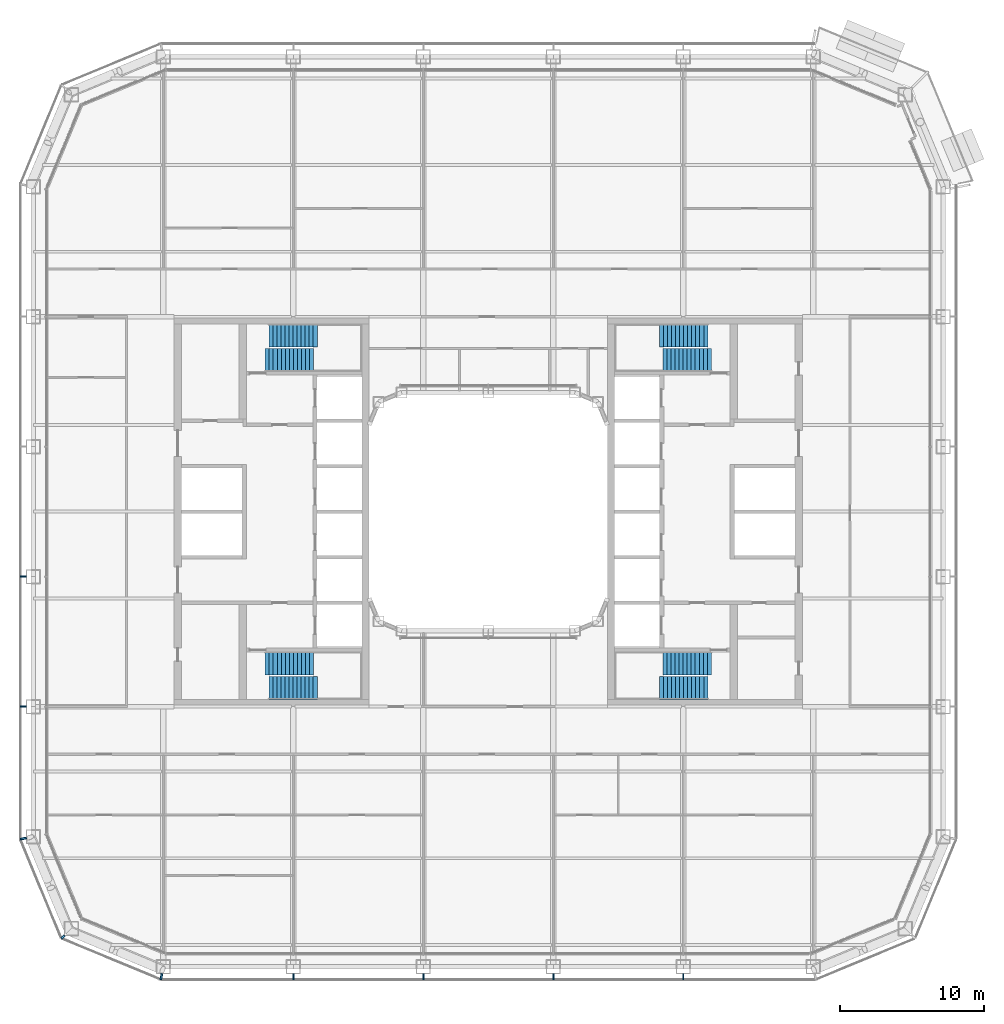
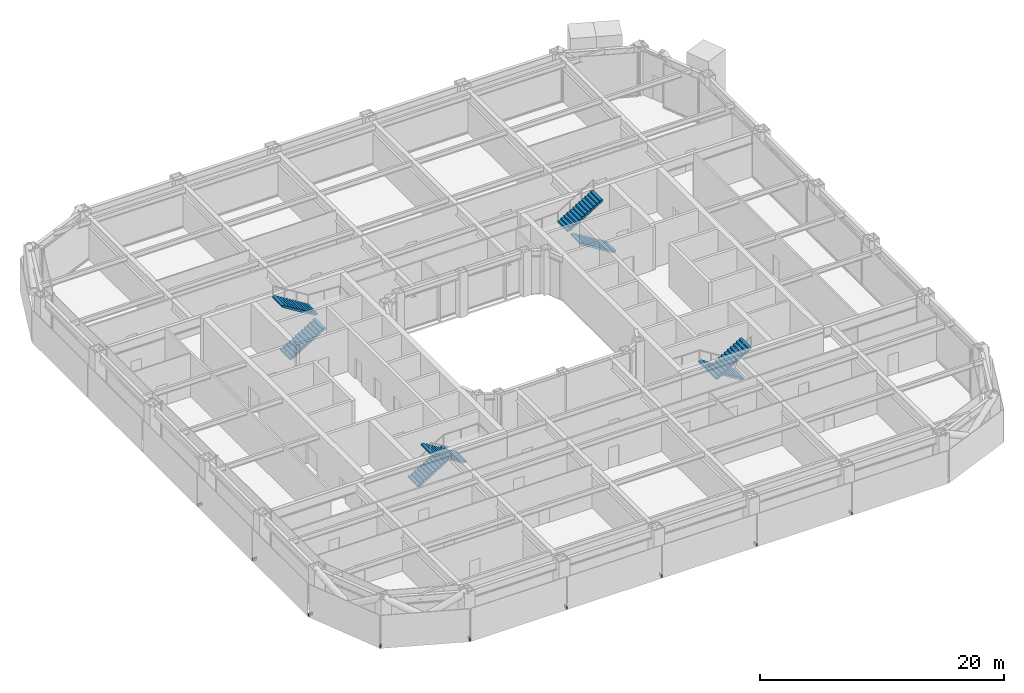
# One storey, part 17 of 30: 9 discrete accessories, 8 stair flights, 4 elements without a shape of their own.
"""IFC4 building model written with IfcOpenShell, lengths in metres."""

import ifcopenshell
import ifcopenshell.guid

model = None  # the IFC model being written
_history = None  # IfcOwnerHistory: only IFC2X3 demands one
_inside = {}  # id of a spatial element -> (the spatial element, [elements in it])
_under = {}  # id of a project, library or spatial element -> (it, [spatial elements below it])
_declared = {}  # id of a project -> (the project, [libraries it declares])
_typed = {}  # id of a type object -> (the type object, [elements of that type])
_made_of = {}  # id of a material, layer set ... -> (it, [elements and type objects made of it])


def new_model(schema):
    """Start an empty IFC model of exactly this schema.

    Asked for "IFC4X3", IfcOpenShell would pick the latest addendum, in which some entities
    have other attributes; the version numbers below select the first issue.
    IFC2X3 requires an IfcOwnerHistory on every rooted entity: one is made here for all.
    """
    global model, _history
    if schema == "IFC4X3":
        model = ifcopenshell.file(schema_version=(4, 3, 0, 0))
    else:
        model = ifcopenshell.file(schema=schema)
    _inside.clear()
    _under.clear()
    _declared.clear()
    _typed.clear()
    _made_of.clear()
    _history = None
    if model.schema == "IFC2X3":
        org = make("IfcOrganization", Name="unknown")
        user = make(
            "IfcPersonAndOrganization",
            ThePerson=make("IfcPerson", FamilyName="unknown"),
            TheOrganization=org,
        )
        app = make(
            "IfcApplication",
            ApplicationDeveloper=org,
            Version="unknown",
            ApplicationFullName="unknown",
            ApplicationIdentifier="unknown",
        )
        _history = make(
            "IfcOwnerHistory",
            OwningUser=user,
            OwningApplication=app,
            ChangeAction="ADDED",
            CreationDate=0,
        )
    return model


def make(cls, **values):
    """One entity of the class cls with the attributes given. An attribute that is None is left unset."""
    return model.create_entity(
        cls, **{name: value for name, value in values.items() if value is not None}
    )


def rooted(cls, **values):
    """An entity with a GlobalId (a new one), such as an element, a storey or a relation."""
    return make(cls, GlobalId=ifcopenshell.guid.new(), OwnerHistory=_history, **values)


def si_unit(unit_type, name, prefix=None):
    """IfcSIUnit, for example si_unit("LENGTHUNIT", "METRE", prefix="MILLI")."""
    return make("IfcSIUnit", UnitType=unit_type, Prefix=prefix, Name=name)


def assignment(units):
    """IfcUnitAssignment: the units of a project."""
    return None if units is None else make("IfcUnitAssignment", Units=units)


def point(xyz):
    """IfcCartesianPoint."""
    return None if xyz is None else make("IfcCartesianPoint", Coordinates=xyz)


def direction(xyz):
    """IfcDirection."""
    return None if xyz is None else make("IfcDirection", DirectionRatios=xyz)


def frame(location, z_axis=None, x_axis=None):
    """IfcAxis2Placement3D, a coordinate frame: its origin and axes. An axis left out is left unset."""
    return make(
        "IfcAxis2Placement3D",
        Location=point(location),
        Axis=direction(z_axis),
        RefDirection=direction(x_axis),
    )


def frame_2d(location, x_axis=None):
    """IfcAxis2Placement2D, a coordinate frame in the plane: its origin and x axis."""
    return make(
        "IfcAxis2Placement2D", Location=point(location), RefDirection=direction(x_axis)
    )


def origin():
    """The frame at (0, 0, 0) with its axes left unset."""
    return frame((0.0, 0.0, 0.0))


def origin_2d():
    """The frame at (0, 0) in the plane with its x axis left unset."""
    return frame_2d((0.0, 0.0))


def place(relative_to, where):
    """IfcLocalPlacement: puts the frame where relative to a parent placement (None: the world)."""
    return make(
        "IfcLocalPlacement", PlacementRelTo=relative_to, RelativePlacement=where
    )


def context(
    kind, dimensions, precision=None, world=None, true_north=None, identifier=None
):
    """IfcGeometricRepresentationContext, for example the 3D "Model" context."""
    return make(
        "IfcGeometricRepresentationContext",
        ContextIdentifier=identifier,
        ContextType=kind,
        CoordinateSpaceDimension=dimensions,
        Precision=precision,
        WorldCoordinateSystem=world,
        TrueNorth=true_north,
    )


def subcontext(parent, identifier, kind, view, scale=None):
    """IfcGeometricRepresentationSubContext, for example "Body" below "Model"."""
    return make(
        "IfcGeometricRepresentationSubContext",
        ContextIdentifier=identifier,
        ContextType=kind,
        ParentContext=parent,
        TargetScale=scale,
        TargetView=view,
    )


def project(units=None, contexts=None):
    """IfcProject with its units and contexts."""
    return rooted(
        "IfcProject",
        Name="project",
        RepresentationContexts=contexts,
        UnitsInContext=assignment(units),
    )


def spatial(cls, under=None, at=None, **own):
    """A site, building, storey or space (cls), placed at a placement, below another one or the project."""
    s = rooted(cls, ObjectPlacement=at, **own)
    if under is not None:
        _under.setdefault(under.id(), (under, []))[1].append(s)
    return s


def polyline(points):
    """IfcPolyline through the points."""
    return make("IfcPolyline", Points=[point(p) for p in points])


def profile(cls, at=None, kind="AREA", **sizes):
    """A parametric profile (cls). Its sizes go by their IFC names, for example OverallWidth=200.0."""
    return make(cls, ProfileType=kind, Position=at, **sizes)


def rectangle(**sizes):
    """IfcRectangleProfileDef."""
    return profile("IfcRectangleProfileDef", **sizes)


def outline(outer, holes=None, kind="AREA"):
    """IfcArbitraryClosedProfileDef: a profile drawn as a closed curve; with holes, ...WithVoids."""
    if holes is None:
        return make("IfcArbitraryClosedProfileDef", ProfileType=kind, OuterCurve=outer)
    return make(
        "IfcArbitraryProfileDefWithVoids",
        ProfileType=kind,
        OuterCurve=outer,
        InnerCurves=holes,
    )


def extrude(swept, where, along, depth):
    """IfcExtrudedAreaSolid: the profile swept, set in the frame where, extruded along a direction by depth."""
    return make(
        "IfcExtrudedAreaSolid",
        SweptArea=swept,
        Position=where,
        ExtrudedDirection=direction(along),
        Depth=depth,
    )


def shape(context_of_items, identifier, shape_type, items):
    """IfcShapeRepresentation: the items that make up one representation, for example the "Body"."""
    return make(
        "IfcShapeRepresentation",
        ContextOfItems=context_of_items,
        RepresentationIdentifier=identifier,
        RepresentationType=shape_type,
        Items=items,
    )


def material(Name=None, Category=None):
    """IfcMaterial."""
    return make("IfcMaterial", Name=Name, Category=Category)


def made_of(thing, what):
    """Note that an element or type object is made of a material, layer set ...; save() writes the relation."""
    if what is not None:
        _made_of.setdefault(what.id(), (what, []))[1].append(thing)
    return thing


def type_object(cls, material=None, **own):
    """A type object (cls), such as IfcWallType, which elements share."""
    return made_of(rooted(cls, **own), material)


def element(
    cls,
    number,
    at=None,
    inside=None,
    cuts=None,
    type_object=None,
    material=None,
    context=None,
    identifier="Body",
    shape_type=None,
    held_by="IfcProductDefinitionShape",
    body=None,
    shapes=None,
    **own,
):
    """One element of the class cls, such as IfcWall. Its Tag is "e" and its number.

    at: its placement. inside: the storey or other place that contains it. cuts: it is an
    opening in that element (IfcRelVoidsElement). A single representation is given by context,
    identifier, shape_type and body (its items); several are given by shapes. held_by: the class
    of the entity that holds the representations. save() writes the other relations.
    """
    e = rooted(cls, Tag="e%d" % number, ObjectPlacement=at, **own)
    if body is not None:
        shapes = [shape(context, identifier, shape_type, body)]
    if shapes is not None:
        e.Representation = make(held_by, Representations=shapes)
    if inside is not None:
        _inside.setdefault(inside.id(), (inside, []))[1].append(e)
    if cuts is not None:
        rooted(
            "IfcRelVoidsElement", RelatingBuildingElement=cuts, RelatedOpeningElement=e
        )
    if type_object is not None:
        _typed.setdefault(type_object.id(), (type_object, []))[1].append(e)
    return made_of(e, material)


def aggregate(whole, parts):
    """IfcRelAggregates: a whole, such as a stair, and the parts it consists of."""
    return rooted("IfcRelAggregates", RelatingObject=whole, RelatedObjects=parts)


def save(model, path):
    """Write the relations noted so far, then the file.

    IfcRelAggregates (storeys below a building ...), IfcRelContainedInSpatialStructure (elements
    in a storey), IfcRelDefinesByType, IfcRelAssociatesMaterial and IfcRelDeclares: one each for
    every whole, place, type object, material and project.
    """
    for whole, parts in _under.values():
        aggregate(whole, parts)
    for where, things in _inside.values():
        rooted(
            "IfcRelContainedInSpatialStructure",
            RelatedElements=things,
            RelatingStructure=where,
        )
    for kind, things in _typed.values():
        rooted("IfcRelDefinesByType", RelatedObjects=things, RelatingType=kind)
    for what, things in _made_of.values():
        rooted("IfcRelAssociatesMaterial", RelatedObjects=things, RelatingMaterial=what)
    for by, libraries in _declared.values():
        rooted("IfcRelDeclares", RelatingContext=by, RelatedDefinitions=libraries)
    model.write(path)


model = new_model("IFC4")

# Units and contexts
model_context = context("Model", 3, precision=1e-05, world=origin(), true_north=direction((0.0, 1.0)))
body_context = subcontext(model_context, "Body", "Model", "MODEL_VIEW")
ifc_project = project(units=[si_unit("LENGTHUNIT", "METRE"), si_unit("AREAUNIT", "SQUARE_METRE"), si_unit("VOLUMEUNIT", "CUBIC_METRE"), si_unit("PLANEANGLEUNIT", "RADIAN"), si_unit("MASSUNIT", "GRAM", prefix="KILO")], contexts=[model_context])

# Site, building, storey
site_placement = place(None, origin())
site = spatial("IfcSite", under=ifc_project, at=site_placement, CompositionType="ELEMENT")
building_placement = place(site_placement, origin())
building = spatial("IfcBuilding", under=site, at=building_placement, Name="Siwar Civic Tower", CompositionType="ELEMENT")
storey_placement = place(building_placement, frame((0.0, 0.0, 80.699951171875)))
storey = spatial("IfcBuildingStorey", under=building, at=storey_placement, Name="L17", CompositionType="ELEMENT", Elevation=80.699951171875)

# Stair, stair flights
ifc_material_1 = material(Name="Concrete C40/50", Category="concrete")
stair_type = type_object("IfcStairType", Name="CORE-STAIR", PredefinedType="TWO_STRAIGHT_RUN_STAIR", material=ifc_material_1)
stair_1_placement = place(storey_placement, origin())
stair_1 = element("IfcStair", 1, at=stair_1_placement, inside=storey, type_object=stair_type, Name="Exit stair ST1", PredefinedType="TWO_STRAIGHT_RUN_STAIR")
ifc_material_2 = material(Name="Concrete C40/50", Category="concrete")
stair_flight_type = type_object("IfcStairFlightType", Name="CORE-STAIR-FLIGHT", PredefinedType="STRAIGHT", material=ifc_material_2)
stair_flight_1_placement = place(storey_placement, frame((-15.449951171875, 10.5, 0.0), z_axis=(0.0, 0.0, 1.0), x_axis=(1.0, 0.0, 0.0)))
stair_flight_1 = element("IfcStairFlight", 2, at=stair_flight_1_placement, type_object=stair_flight_type, Name="ST1 flight 1", NumberOfRisers=13, NumberOfTreads=12, PredefinedType="STRAIGHT", RiserHeight=0.173076923, TreadLength=0.28, context=body_context, shape_type="SweptSolid", body=[
    extrude(outline(polyline([(0.0, 0.0), (0.0, 0.173095703125), (0.280029296875, 0.173095703125), (0.280029296875, 0.34619140625), (0.56005859375, 0.34619140625), (0.56005859375, 0.519287109375), (0.840087890625, 0.519287109375), (0.840087890625, 0.6923828125), (1.1201171875, 0.6923828125), (1.1201171875, 0.865478515625), (1.39990234375, 0.865478515625), (1.39990234375, 1.03857421875), (1.679931640625, 1.03857421875), (1.679931640625, 1.21142578125), (1.9599609375, 1.21142578125), (1.9599609375, 1.384521484375), (2.239990234375, 1.384521484375), (2.239990234375, 1.5576171875), (2.52001953125, 1.5576171875), (2.52001953125, 1.730712890625), (2.800048828125, 1.730712890625), (2.800048828125, 1.90380859375), (3.080078125, 1.90380859375), (3.080078125, 2.076904296875), (3.360107421875, 2.076904296875), (3.360107421875, 2.25), (3.360107421875, 1.900634765625), (0.28515625, 0.0), (0.0, 0.0)])), frame((0.0, 0.800048828125, 0.0), z_axis=(0.0, -1.0, 0.0), x_axis=(1.0, 0.0, 0.0)), (0.0, 0.0, 1.0), 1.60009765625),
])
stair_flight_2_placement = place(storey_placement, frame((-11.840087890625, 12.199951171875, 2.25), z_axis=(0.0, 0.0, 1.0), x_axis=(-1.0, 0.0, 0.0)))
stair_flight_2 = element("IfcStairFlight", 3, at=stair_flight_2_placement, type_object=stair_flight_type, Name="ST1 flight 2", NumberOfRisers=13, NumberOfTreads=12, PredefinedType="STRAIGHT", RiserHeight=0.173076923, TreadLength=0.28, context=body_context, shape_type="SweptSolid", body=[
    extrude(outline(polyline([(0.0, 0.0), (0.0, 0.173095703125), (0.280029296875, 0.173095703125), (0.280029296875, 0.34619140625), (0.56005859375, 0.34619140625), (0.56005859375, 0.519287109375), (0.840087890625, 0.519287109375), (0.840087890625, 0.6923828125), (1.1201171875, 0.6923828125), (1.1201171875, 0.865478515625), (1.39990234375, 0.865478515625), (1.39990234375, 1.03857421875), (1.679931640625, 1.03857421875), (1.679931640625, 1.21142578125), (1.9599609375, 1.21142578125), (1.9599609375, 1.384521484375), (2.239990234375, 1.384521484375), (2.239990234375, 1.5576171875), (2.52001953125, 1.5576171875), (2.52001953125, 1.730712890625), (2.800048828125, 1.730712890625), (2.800048828125, 1.90380859375), (3.080078125, 1.90380859375), (3.080078125, 2.076904296875), (3.360107421875, 2.076904296875), (3.360107421875, 2.25), (3.360107421875, 1.900634765625), (0.28515625, 0.0), (0.0, 0.0)])), frame((0.0, 0.800048828125, 0.0), z_axis=(0.0, -1.0, 0.0), x_axis=(1.0, 0.0, 0.0)), (0.0, 0.0, 1.0), 1.60009765625),
])
aggregate(stair_1, [stair_flight_1, stair_flight_2])

stair_2_placement = place(storey_placement, origin())
stair_2 = element("IfcStair", 4, at=stair_2_placement, inside=storey, type_object=stair_type, Name="Exit stair ST2", PredefinedType="TWO_STRAIGHT_RUN_STAIR")
stair_flight_3_placement = place(storey_placement, frame((-15.449951171875, -10.5, 0.0), z_axis=(0.0, 0.0, 1.0), x_axis=(1.0, 0.0, 0.0)))
stair_flight_3 = element("IfcStairFlight", 5, at=stair_flight_3_placement, type_object=stair_flight_type, Name="ST2 flight 1", NumberOfRisers=13, NumberOfTreads=12, PredefinedType="STRAIGHT", RiserHeight=0.173076923, TreadLength=0.28, context=body_context, shape_type="SweptSolid", body=[
    extrude(outline(polyline([(0.0, 0.0), (0.0, 0.173095703125), (0.280029296875, 0.173095703125), (0.280029296875, 0.34619140625), (0.56005859375, 0.34619140625), (0.56005859375, 0.519287109375), (0.840087890625, 0.519287109375), (0.840087890625, 0.6923828125), (1.1201171875, 0.6923828125), (1.1201171875, 0.865478515625), (1.39990234375, 0.865478515625), (1.39990234375, 1.03857421875), (1.679931640625, 1.03857421875), (1.679931640625, 1.21142578125), (1.9599609375, 1.21142578125), (1.9599609375, 1.384521484375), (2.239990234375, 1.384521484375), (2.239990234375, 1.5576171875), (2.52001953125, 1.5576171875), (2.52001953125, 1.730712890625), (2.800048828125, 1.730712890625), (2.800048828125, 1.90380859375), (3.080078125, 1.90380859375), (3.080078125, 2.076904296875), (3.360107421875, 2.076904296875), (3.360107421875, 2.25), (3.360107421875, 1.900634765625), (0.28515625, 0.0), (0.0, 0.0)])), frame((0.0, 0.800048828125, 0.0), z_axis=(0.0, -1.0, 0.0), x_axis=(1.0, 0.0, 0.0)), (0.0, 0.0, 1.0), 1.60009765625),
])
stair_flight_4_placement = place(storey_placement, frame((-11.840087890625, -12.199951171875, 2.25), z_axis=(0.0, 0.0, 1.0), x_axis=(-1.0, 0.0, 0.0)))
stair_flight_4 = element("IfcStairFlight", 6, at=stair_flight_4_placement, type_object=stair_flight_type, Name="ST2 flight 2", NumberOfRisers=13, NumberOfTreads=12, PredefinedType="STRAIGHT", RiserHeight=0.173076923, TreadLength=0.28, context=body_context, shape_type="SweptSolid", body=[
    extrude(outline(polyline([(0.0, 0.0), (0.0, 0.173095703125), (0.280029296875, 0.173095703125), (0.280029296875, 0.34619140625), (0.56005859375, 0.34619140625), (0.56005859375, 0.519287109375), (0.840087890625, 0.519287109375), (0.840087890625, 0.6923828125), (1.1201171875, 0.6923828125), (1.1201171875, 0.865478515625), (1.39990234375, 0.865478515625), (1.39990234375, 1.03857421875), (1.679931640625, 1.03857421875), (1.679931640625, 1.21142578125), (1.9599609375, 1.21142578125), (1.9599609375, 1.384521484375), (2.239990234375, 1.384521484375), (2.239990234375, 1.5576171875), (2.52001953125, 1.5576171875), (2.52001953125, 1.730712890625), (2.800048828125, 1.730712890625), (2.800048828125, 1.90380859375), (3.080078125, 1.90380859375), (3.080078125, 2.076904296875), (3.360107421875, 2.076904296875), (3.360107421875, 2.25), (3.360107421875, 1.900634765625), (0.28515625, 0.0), (0.0, 0.0)])), frame((0.0, 0.800048828125, 0.0), z_axis=(0.0, -1.0, 0.0), x_axis=(1.0, 0.0, 0.0)), (0.0, 0.0, 1.0), 1.60009765625),
])
aggregate(stair_2, [stair_flight_3, stair_flight_4])

stair_3_placement = place(storey_placement, origin())
stair_3 = element("IfcStair", 7, at=stair_3_placement, inside=storey, type_object=stair_type, Name="Exit stair ST3", PredefinedType="TWO_STRAIGHT_RUN_STAIR")
stair_flight_5_placement = place(storey_placement, frame((15.449951171875, 10.5, 0.0), z_axis=(0.0, 0.0, 1.0), x_axis=(-1.0, 0.0, 0.0)))
stair_flight_5 = element("IfcStairFlight", 8, at=stair_flight_5_placement, type_object=stair_flight_type, Name="ST3 flight 1", NumberOfRisers=13, NumberOfTreads=12, PredefinedType="STRAIGHT", RiserHeight=0.173076923, TreadLength=0.28, context=body_context, shape_type="SweptSolid", body=[
    extrude(outline(polyline([(0.0, 0.0), (0.0, 0.173095703125), (0.280029296875, 0.173095703125), (0.280029296875, 0.34619140625), (0.56005859375, 0.34619140625), (0.56005859375, 0.519287109375), (0.840087890625, 0.519287109375), (0.840087890625, 0.6923828125), (1.1201171875, 0.6923828125), (1.1201171875, 0.865478515625), (1.39990234375, 0.865478515625), (1.39990234375, 1.03857421875), (1.679931640625, 1.03857421875), (1.679931640625, 1.21142578125), (1.9599609375, 1.21142578125), (1.9599609375, 1.384521484375), (2.239990234375, 1.384521484375), (2.239990234375, 1.5576171875), (2.52001953125, 1.5576171875), (2.52001953125, 1.730712890625), (2.800048828125, 1.730712890625), (2.800048828125, 1.90380859375), (3.080078125, 1.90380859375), (3.080078125, 2.076904296875), (3.360107421875, 2.076904296875), (3.360107421875, 2.25), (3.360107421875, 1.900634765625), (0.28515625, 0.0), (0.0, 0.0)])), frame((0.0, 0.800048828125, 0.0), z_axis=(0.0, -1.0, 0.0), x_axis=(1.0, 0.0, 0.0)), (0.0, 0.0, 1.0), 1.60009765625),
])
stair_flight_6_placement = place(storey_placement, frame((11.840087890625, 12.199951171875, 2.25), z_axis=(0.0, 0.0, 1.0), x_axis=(1.0, 0.0, 0.0)))
stair_flight_6 = element("IfcStairFlight", 9, at=stair_flight_6_placement, type_object=stair_flight_type, Name="ST3 flight 2", NumberOfRisers=13, NumberOfTreads=12, PredefinedType="STRAIGHT", RiserHeight=0.173076923, TreadLength=0.28, context=body_context, shape_type="SweptSolid", body=[
    extrude(outline(polyline([(0.0, 0.0), (0.0, 0.173095703125), (0.280029296875, 0.173095703125), (0.280029296875, 0.34619140625), (0.56005859375, 0.34619140625), (0.56005859375, 0.519287109375), (0.840087890625, 0.519287109375), (0.840087890625, 0.6923828125), (1.1201171875, 0.6923828125), (1.1201171875, 0.865478515625), (1.39990234375, 0.865478515625), (1.39990234375, 1.03857421875), (1.679931640625, 1.03857421875), (1.679931640625, 1.21142578125), (1.9599609375, 1.21142578125), (1.9599609375, 1.384521484375), (2.239990234375, 1.384521484375), (2.239990234375, 1.5576171875), (2.52001953125, 1.5576171875), (2.52001953125, 1.730712890625), (2.800048828125, 1.730712890625), (2.800048828125, 1.90380859375), (3.080078125, 1.90380859375), (3.080078125, 2.076904296875), (3.360107421875, 2.076904296875), (3.360107421875, 2.25), (3.360107421875, 1.900634765625), (0.28515625, 0.0), (0.0, 0.0)])), frame((0.0, 0.800048828125, 0.0), z_axis=(0.0, -1.0, 0.0), x_axis=(1.0, 0.0, 0.0)), (0.0, 0.0, 1.0), 1.60009765625),
])
aggregate(stair_3, [stair_flight_5, stair_flight_6])

stair_4_placement = place(storey_placement, origin())
stair_4 = element("IfcStair", 10, at=stair_4_placement, inside=storey, type_object=stair_type, Name="Exit stair ST4", PredefinedType="TWO_STRAIGHT_RUN_STAIR")
stair_flight_7_placement = place(storey_placement, frame((15.449951171875, -10.5, 0.0), z_axis=(0.0, 0.0, 1.0), x_axis=(-1.0, 0.0, 0.0)))
stair_flight_7 = element("IfcStairFlight", 11, at=stair_flight_7_placement, type_object=stair_flight_type, Name="ST4 flight 1", NumberOfRisers=13, NumberOfTreads=12, PredefinedType="STRAIGHT", RiserHeight=0.173076923, TreadLength=0.28, context=body_context, shape_type="SweptSolid", body=[
    extrude(outline(polyline([(0.0, 0.0), (0.0, 0.173095703125), (0.280029296875, 0.173095703125), (0.280029296875, 0.34619140625), (0.56005859375, 0.34619140625), (0.56005859375, 0.519287109375), (0.840087890625, 0.519287109375), (0.840087890625, 0.6923828125), (1.1201171875, 0.6923828125), (1.1201171875, 0.865478515625), (1.39990234375, 0.865478515625), (1.39990234375, 1.03857421875), (1.679931640625, 1.03857421875), (1.679931640625, 1.21142578125), (1.9599609375, 1.21142578125), (1.9599609375, 1.384521484375), (2.239990234375, 1.384521484375), (2.239990234375, 1.5576171875), (2.52001953125, 1.5576171875), (2.52001953125, 1.730712890625), (2.800048828125, 1.730712890625), (2.800048828125, 1.90380859375), (3.080078125, 1.90380859375), (3.080078125, 2.076904296875), (3.360107421875, 2.076904296875), (3.360107421875, 2.25), (3.360107421875, 1.900634765625), (0.28515625, 0.0), (0.0, 0.0)])), frame((0.0, 0.800048828125, 0.0), z_axis=(0.0, -1.0, 0.0), x_axis=(1.0, 0.0, 0.0)), (0.0, 0.0, 1.0), 1.60009765625),
])
stair_flight_8_placement = place(storey_placement, frame((11.840087890625, -12.199951171875, 2.25), z_axis=(0.0, 0.0, 1.0), x_axis=(1.0, 0.0, 0.0)))
stair_flight_8 = element("IfcStairFlight", 12, at=stair_flight_8_placement, type_object=stair_flight_type, Name="ST4 flight 2", NumberOfRisers=13, NumberOfTreads=12, PredefinedType="STRAIGHT", RiserHeight=0.173076923, TreadLength=0.28, context=body_context, shape_type="SweptSolid", body=[
    extrude(outline(polyline([(0.0, 0.0), (0.0, 0.173095703125), (0.280029296875, 0.173095703125), (0.280029296875, 0.34619140625), (0.56005859375, 0.34619140625), (0.56005859375, 0.519287109375), (0.840087890625, 0.519287109375), (0.840087890625, 0.6923828125), (1.1201171875, 0.6923828125), (1.1201171875, 0.865478515625), (1.39990234375, 0.865478515625), (1.39990234375, 1.03857421875), (1.679931640625, 1.03857421875), (1.679931640625, 1.21142578125), (1.9599609375, 1.21142578125), (1.9599609375, 1.384521484375), (2.239990234375, 1.384521484375), (2.239990234375, 1.5576171875), (2.52001953125, 1.5576171875), (2.52001953125, 1.730712890625), (2.800048828125, 1.730712890625), (2.800048828125, 1.90380859375), (3.080078125, 1.90380859375), (3.080078125, 2.076904296875), (3.360107421875, 2.076904296875), (3.360107421875, 2.25), (3.360107421875, 1.900634765625), (0.28515625, 0.0), (0.0, 0.0)])), frame((0.0, 0.800048828125, 0.0), z_axis=(0.0, -1.0, 0.0), x_axis=(1.0, 0.0, 0.0)), (0.0, 0.0, 1.0), 1.60009765625),
])
aggregate(stair_4, [stair_flight_7, stair_flight_8])

# Discrete accessories
ifc_material_3 = material(Name="Stainless steel 316", Category="steel")
discrete_accessory_type = type_object("IfcDiscreteAccessoryType", Name="ENV-BRACKET", PredefinedType="BRACKET", material=ifc_material_3)
for number, where, z_axis, x_axis, name in (
    (13, (-13.5, -32.18994140625, -0.14990234375), (0.0, 0.0, 1.0), (0.0, -1.0, 0.0), "Bracket outer skin joint S-01"),
    (14, (-4.5, -32.18994140625, -0.14990234375), (0.0, 0.0, 1.0), (0.0, -1.0, 0.0), "Bracket outer skin joint S-02"),
    (15, (4.5, -32.18994140625, -0.14990234375), (0.0, 0.0, 1.0), (0.0, -1.0, 0.0), "Bracket outer skin joint S-03"),
    (16, (13.5, -32.18994140625, -0.14990234375), (0.0, 0.0, 1.0), (0.0, -1.0, 0.0), "Bracket outer skin joint S-04"),
):
    element("IfcDiscreteAccessory", number, at=place(storey_placement, frame(where, z_axis=z_axis, x_axis=x_axis)), inside=storey, type_object=discrete_accessory_type, Name=name, PredefinedType="BRACKET", context=body_context, shape_type="SweptSolid", body=[
        extrude(rectangle(XDim=0.419921875, YDim=0.10009765625, at=origin_2d()), origin(), (0.0, 0.0, 1.0), 0.300048828125),
    ])
for number, where, z_axis, x_axis, name in (
    (17, (-22.63720703125, -32.190185546875, -0.14990234375), (0.0, 0.0, 1.0), (-0.195090322016, -0.980785280403, 0.0), "Bracket outer skin joint V00"),
    (18, (-32.190185546875, -22.63720703125, -0.14990234375), (0.0, 0.0, 1.0), (-0.980785280403, -0.195090322016, 0.0), "Bracket outer skin joint V10"),
):
    element("IfcDiscreteAccessory", number, at=place(storey_placement, frame(where, z_axis=z_axis, x_axis=x_axis)), inside=storey, type_object=discrete_accessory_type, Name=name, PredefinedType="BRACKET", context=body_context, shape_type="SweptSolid", body=[
        extrude(rectangle(XDim=0.427734375, YDim=0.13720703125, at=origin_2d()), origin(), (0.0, 0.0, 1.0), 0.300048828125),
    ])
discrete_accessory_placement = place(storey_placement, frame((-29.451416015625, -29.451416015625, -0.14990234375), z_axis=(0.0, 0.0, 1.0), x_axis=(-0.707106781187, -0.707106781187, 0.0)))
element("IfcDiscreteAccessory", 19, at=discrete_accessory_placement, inside=storey, type_object=discrete_accessory_type, Name="Bracket outer skin joint V11", PredefinedType="BRACKET", context=body_context, shape_type="SweptSolid", body=[
    extrude(rectangle(XDim=0.287109375, YDim=0.12939453125, at=origin_2d()), origin(), (0.0, 0.0, 1.0), 0.300048828125),
])
for number, where, z_axis, x_axis, name in (
    (20, (-32.18994140625, -4.5, -0.14990234375), (0.0, 0.0, 1.0), (-1.0, 0.0, 0.0), "Bracket outer skin joint W-03"),
    (21, (-32.18994140625, -13.5, -0.14990234375), (0.0, 0.0, 1.0), (-1.0, 0.0, 0.0), "Bracket outer skin joint W-04"),
):
    element("IfcDiscreteAccessory", number, at=place(storey_placement, frame(where, z_axis=z_axis, x_axis=x_axis)), inside=storey, type_object=discrete_accessory_type, Name=name, PredefinedType="BRACKET", context=body_context, shape_type="SweptSolid", body=[
        extrude(rectangle(XDim=0.419921875, YDim=0.10009765625, at=origin_2d()), origin(), (0.0, 0.0, 1.0), 0.300048828125),
    ])

save(model, "model.ifc")
